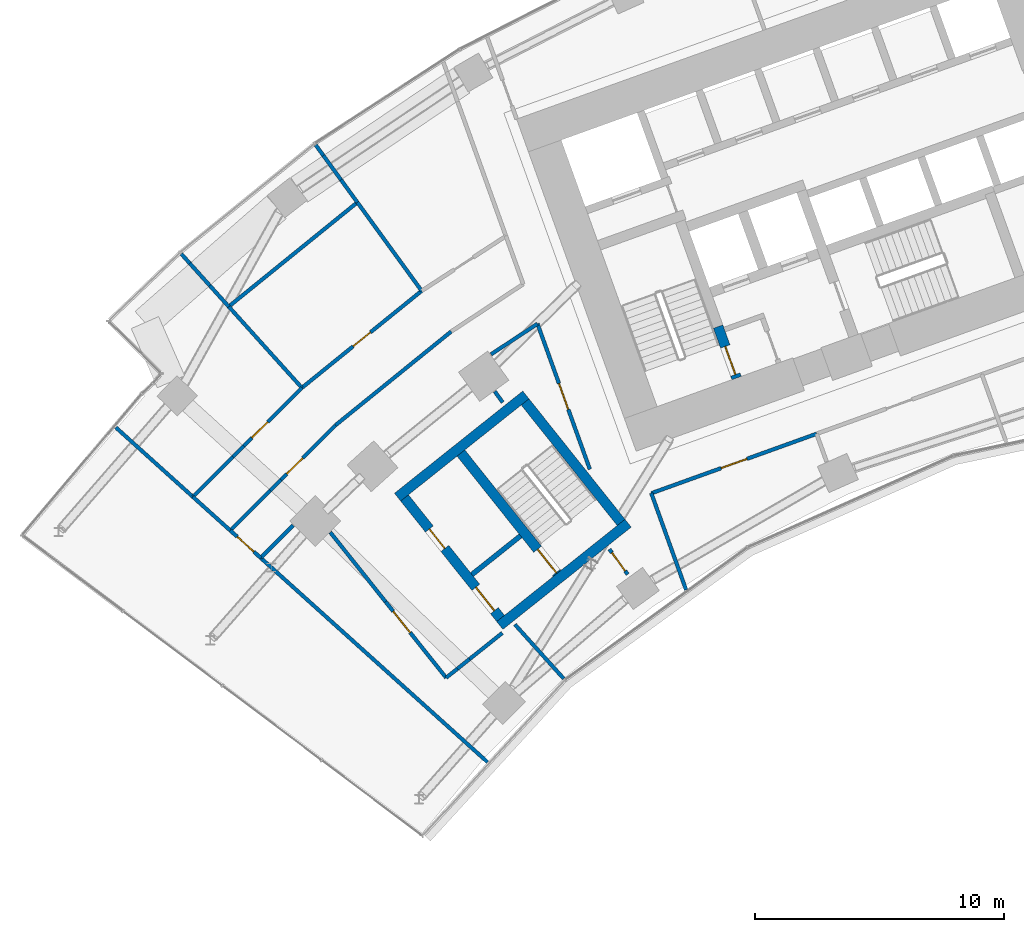
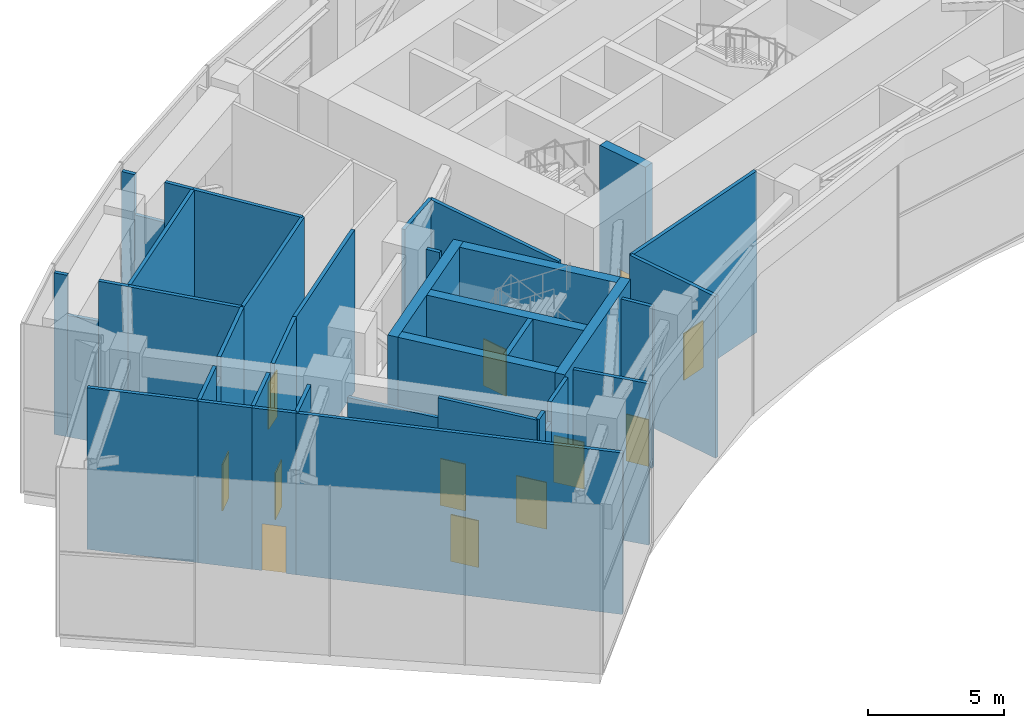
# One storey, part 22 of 30: 41 walls, 12 doors, 12 openings.
"""IFC4 building model written with IfcOpenShell, lengths in metres."""

from ifc_helpers import new_model, si_unit, direction, frame, frame_2d, origin, place, context, subcontext, project, spatial, rectangle, extrude, material, layer, layer_set, type_object, element, fill, save


model = new_model("IFC4")

# Units and contexts
model_context = context("Model", 3, precision=1e-05, world=origin(), true_north=direction((0.0, 1.0)))
body_context = subcontext(model_context, "Body", "Model", "MODEL_VIEW")
ifc_project = project(units=[si_unit("LENGTHUNIT", "METRE"), si_unit("AREAUNIT", "SQUARE_METRE"), si_unit("VOLUMEUNIT", "CUBIC_METRE"), si_unit("PLANEANGLEUNIT", "RADIAN"), si_unit("MASSUNIT", "GRAM", prefix="KILO")], contexts=[model_context])

# Site, building, storey
site_placement = place(None, origin())
site = spatial("IfcSite", under=ifc_project, at=site_placement, CompositionType="ELEMENT")
building_placement = place(site_placement, origin())
building = spatial("IfcBuilding", under=site, at=building_placement, Name="Stone Belt Terrace Tower", CompositionType="ELEMENT")
storey_placement = place(building_placement, frame((0.0, 0.0, 136.39990234375)))
storey = spatial("IfcBuildingStorey", under=building, at=storey_placement, Name="L33", CompositionType="ELEMENT", Elevation=136.39990234375)

# Wall
ifc_material_1 = material(Name="Gypsum board partition")
ifc_layer_1 = layer(ifc_material_1, 0.14990234375)
ifc_layer_set_1 = layer_set([ifc_layer_1], Name="PARTITION 150 EI 60")
wall_type_1 = type_object("IfcWallType", Name="PARTITION 150 EI 60", PredefinedType="PARTITIONING", material=ifc_layer_set_1)
wall_1_placement = place(storey_placement, frame((-25.5859375, 39.79296875, 0.0), z_axis=(0.0, 0.0, 1.0), x_axis=(0.338545933013, -0.940949866486, 0.0)))
element("IfcWall", 1, at=wall_1_placement, inside=storey, type_object=wall_type_1, Name="L33/wall/i001", PredefinedType="PARTITIONING", context=body_context, shape_type="SweptSolid", body=[
    extrude(rectangle(XDim=4.135009765625, YDim=0.14990234375, at=frame_2d((2.0673828125, 0.0))), origin(), (0.0, 0.0, 1.0), 7.25),
])

# Wall, opening, door
wall_2_placement = place(storey_placement, frame((-28.05810546875, 40.75390625, 0.0), z_axis=(0.0, 0.0, 1.0), x_axis=(-0.338523697563, 0.94095786632, 0.0)))
wall_2 = element("IfcWall", 2, at=wall_2_placement, inside=storey, type_object=wall_type_1, Name="L33/wall/i003", PredefinedType="PARTITIONING", context=body_context, shape_type="SweptSolid", body=[
    extrude(rectangle(XDim=6.226806640625, YDim=0.14990234375, at=frame_2d((3.11328125, 0.0))), origin(), (0.0, 0.0, 1.0), 7.25),
])
opening_1_placement = place(wall_2_placement, frame((2.563232421875, 0.0, 0.0)))
opening_1 = element("IfcOpeningElement", 3, at=opening_1_placement, cuts=wall_2, Name="Opening D-T2-12", PredefinedType="OPENING", context=body_context, shape_type="SweptSolid", body=[
    extrude(rectangle(XDim=1.10009765625, YDim=2.10009765625, at=frame_2d((0.550048828125, 1.050048828125))), frame((0.0, 0.0849609375, 0.0), z_axis=(0.0, -1.0, 0.0), x_axis=(1.0, 0.0, 0.0)), (0.0, 0.0, 1.0), 0.169921875),
])
ifc_material_2 = material(Name="Steel fire door set", Category="steel")
door_type_1 = type_object("IfcDoorType", Name="SERVICE ROOM DOOR 1100 X 2100", OperationType="NOTDEFINED", PredefinedType="DOOR", material=ifc_material_2)
door_1_placement = place(opening_1_placement, origin())
door_1 = element("IfcDoor", 4, at=door_1_placement, inside=storey, type_object=door_type_1, Name="L33/door/i12", OperationType="SINGLE_SWING_RIGHT", OverallHeight=2.10009765625, OverallWidth=1.10009765625, PredefinedType="DOOR", context=body_context, shape_type="SweptSolid", body=[
    extrude(rectangle(XDim=1.10009765625, YDim=2.10009765625, at=frame_2d((0.550048828125, 1.050048828125))), frame((0.0, 0.02490234375, 0.0), z_axis=(0.0, -1.0, 0.0), x_axis=(1.0, 0.0, 0.0)), (0.0, 0.0, 1.0), 0.050048828125),
])
fill(opening_1, door_1)

wall_3_placement = place(storey_placement, frame((-26.534912109375, 36.52294921875, 0.0), z_axis=(0.0, 0.0, 1.0), x_axis=(-0.58822969918, 0.80869389821, 0.0)))
wall_3 = element("IfcWall", 5, at=wall_3_placement, inside=storey, type_object=wall_type_1, Name="L33/wall/i004", PredefinedType="PARTITIONING", context=body_context, shape_type="SweptSolid", body=[
    extrude(rectangle(XDim=1.25146484375, YDim=0.14990234375, at=frame_2d((0.625732421875, 0.0))), origin(), (0.0, 0.0, 1.0), 7.25),
])
opening_2_placement = place(wall_3_placement, frame((0.17578125, 0.0, 0.0)))
opening_2 = element("IfcOpeningElement", 6, at=opening_2_placement, cuts=wall_3, Name="Opening D-T2-13", PredefinedType="OPENING", context=body_context, shape_type="SweptSolid", body=[
    extrude(rectangle(XDim=0.89990234375, YDim=2.10009765625, at=frame_2d((0.449951171875, 1.050048828125))), frame((0.0, 0.0849609375, 0.0), z_axis=(0.0, -1.0, 0.0), x_axis=(1.0, 0.0, 0.0)), (0.0, 0.0, 1.0), 0.169921875),
])
door_type_2 = type_object("IfcDoorType", Name="SERVICE ROOM DOOR 900 X 2100", OperationType="NOTDEFINED", PredefinedType="DOOR", material=ifc_material_2)
door_2_placement = place(opening_2_placement, origin())
door_2 = element("IfcDoor", 7, at=door_2_placement, inside=storey, type_object=door_type_2, Name="L33/door/i13", OperationType="SINGLE_SWING_RIGHT", OverallHeight=2.10009765625, OverallWidth=0.89990234375, PredefinedType="DOOR", context=body_context, shape_type="SweptSolid", body=[
    extrude(rectangle(XDim=0.89990234375, YDim=2.10009765625, at=frame_2d((0.449951171875, 1.050048828125))), frame((0.0, 0.02490234375, 0.0), z_axis=(0.0, -1.0, 0.0), x_axis=(1.0, 0.0, 0.0)), (0.0, 0.0, 1.0), 0.050048828125),
])
fill(opening_2, door_2)

wall_4_placement = place(storey_placement, frame((-18.928955078125, 42.181884765625, 0.0), z_axis=(0.0, 0.0, 1.0), x_axis=(-0.940934046642, -0.338589899245, 0.0)))
wall_4 = element("IfcWall", 8, at=wall_4_placement, inside=storey, type_object=wall_type_1, Name="L33/wall/i012", PredefinedType="PARTITIONING", context=body_context, shape_type="SweptSolid", body=[
    extrude(rectangle(XDim=7.07275390625, YDim=0.14990234375, at=frame_2d((3.536376953125, 0.0))), origin(), (0.0, 0.0, 1.0), 7.25),
])
opening_3_placement = place(wall_4_placement, frame((2.986328125, 0.0, 0.0)))
opening_3 = element("IfcOpeningElement", 9, at=opening_3_placement, cuts=wall_4, Name="Opening D-T2-01", PredefinedType="OPENING", context=body_context, shape_type="SweptSolid", body=[
    extrude(rectangle(XDim=1.10009765625, YDim=2.10009765625, at=frame_2d((0.550048828125, 1.050048828125))), frame((0.0, 0.0849609375, 0.0), z_axis=(0.0, -1.0, 0.0), x_axis=(1.0, 0.0, 0.0)), (0.0, 0.0, 1.0), 0.169921875),
])
door_3_placement = place(opening_3_placement, origin())
door_3 = element("IfcDoor", 10, at=door_3_placement, inside=storey, type_object=door_type_1, Name="L33/door/i01", OperationType="SINGLE_SWING_LEFT", OverallHeight=2.10009765625, OverallWidth=1.10009765625, PredefinedType="DOOR", context=body_context, shape_type="SweptSolid", body=[
    extrude(rectangle(XDim=1.10009765625, YDim=2.10009765625, at=frame_2d((0.550048828125, 1.050048828125))), frame((0.0, 0.02490234375, 0.0), z_axis=(0.0, -1.0, 0.0), x_axis=(1.0, 0.0, 0.0)), (0.0, 0.0, 1.0), 0.050048828125),
])
fill(opening_3, door_3)

wall_5_placement = place(storey_placement, frame((-41.2958984375, 37.18310546875, 0.0), z_axis=(0.0, 0.0, 1.0), x_axis=(-0.74296518681, 0.669330061471, 0.0)))
wall_5 = element("IfcWall", 11, at=wall_5_placement, inside=storey, type_object=wall_type_1, Name="L33/wall/i034", PredefinedType="PARTITIONING", context=body_context, shape_type="SweptSolid", body=[
    extrude(rectangle(XDim=1.6611328125, YDim=0.14990234375, at=frame_2d((0.83056640625, 0.0))), origin(), (0.0, 0.0, 1.0), 7.25),
])
opening_4_placement = place(wall_5_placement, frame((0.380615234375, 0.0, 0.0)))
opening_4 = element("IfcOpeningElement", 12, at=opening_4_placement, cuts=wall_5, Name="Opening D-T2-11", PredefinedType="OPENING", context=body_context, shape_type="SweptSolid", body=[
    extrude(rectangle(XDim=0.89990234375, YDim=2.10009765625, at=frame_2d((0.449951171875, 1.050048828125))), frame((0.0, 0.0849609375, 0.0), z_axis=(0.0, -1.0, 0.0), x_axis=(1.0, 0.0, 0.0)), (0.0, 0.0, 1.0), 0.169921875),
])
door_4_placement = place(opening_4_placement, origin())
door_4 = element("IfcDoor", 13, at=door_4_placement, inside=storey, type_object=door_type_2, Name="L33/door/i11", OperationType="SINGLE_SWING_RIGHT", OverallHeight=2.10009765625, OverallWidth=0.89990234375, PredefinedType="DOOR", context=body_context, shape_type="SweptSolid", body=[
    extrude(rectangle(XDim=0.89990234375, YDim=2.10009765625, at=frame_2d((0.449951171875, 1.050048828125))), frame((0.0, 0.02490234375, 0.0), z_axis=(0.0, -1.0, 0.0), x_axis=(1.0, 0.0, 0.0)), (0.0, 0.0, 1.0), 0.050048828125),
])
fill(opening_4, door_4)

# Walls
wall_6_placement = place(storey_placement, frame((-41.303955078125, 37.19091796875, 0.0), z_axis=(0.0, 0.0, 1.0), x_axis=(0.743125134901, -0.669152474312, 0.0)))
element("IfcWall", 14, at=wall_6_placement, inside=storey, type_object=wall_type_1, Name="L33/wall/i035", PredefinedType="PARTITIONING", context=body_context, shape_type="SweptSolid", body=[
    extrude(rectangle(XDim=12.2841796875, YDim=0.14990234375, at=frame_2d((6.14208984375, 0.0))), origin(), (0.0, 0.0, 1.0), 7.25),
])
wall_7_placement = place(storey_placement, frame((-44.033935546875, 39.64794921875, 0.0), z_axis=(0.0, 0.0, 1.0), x_axis=(0.743276242629, -0.668984623997, 0.0)))
element("IfcWall", 15, at=wall_7_placement, inside=storey, type_object=wall_type_1, Name="L33/wall/i036", PredefinedType="PARTITIONING", context=body_context, shape_type="SweptSolid", body=[
    extrude(rectangle(XDim=2.0341796875, YDim=0.14990234375, at=frame_2d((1.01708984375, 0.0))), origin(), (0.0, 0.0, 1.0), 7.25),
])
wall_8_placement = place(storey_placement, frame((-47.133056640625, 42.438720703125, 0.0), z_axis=(0.0, 0.0, 1.0), x_axis=(0.743262212663, -0.66900021168, 0.0)))
element("IfcWall", 16, at=wall_8_placement, inside=storey, type_object=wall_type_1, Name="L33/wall/i037", PredefinedType="PARTITIONING", context=body_context, shape_type="SweptSolid", body=[
    extrude(rectangle(XDim=4.181884765625, YDim=0.14990234375, at=frame_2d((2.0908203125, 0.0))), origin(), (0.0, 0.0, 1.0), 7.25),
])
wall_9_placement = place(storey_placement, frame((-30.1650390625, 46.60595703125, 0.0), z_axis=(0.0, 0.0, 1.0), x_axis=(-0.835442130402, -0.549578426386, 0.0)))
element("IfcWall", 17, at=wall_9_placement, inside=storey, type_object=wall_type_1, Name="L33/wall/i038", PredefinedType="PARTITIONING", context=body_context, shape_type="SweptSolid", body=[
    extrude(rectangle(XDim=2.237548828125, YDim=0.14990234375, at=frame_2d((1.11865234375, 0.0))), origin(), (0.0, 0.0, 1.0), 7.25),
])
wall_10_placement = place(storey_placement, frame((-31.88427734375, 43.88525390625, 0.0), z_axis=(0.0, 0.0, 1.0), x_axis=(0.588064762831, -0.808813844291, 0.0)))
element("IfcWall", 18, at=wall_10_placement, inside=storey, type_object=wall_type_1, Name="L33/wall/i039", PredefinedType="PARTITIONING", context=body_context, shape_type="SweptSolid", body=[
    extrude(rectangle(XDim=0.54296875, YDim=0.14990234375, at=frame_2d((0.271484375, 0.0))), origin(), (0.0, 0.0, 1.0), 7.25),
])
wall_11_placement = place(storey_placement, frame((-39.997314453125, 38.48974609375, 0.0), z_axis=(0.0, 0.0, 1.0), x_axis=(-0.707106781187, -0.707106781187, 0.0)))
element("IfcWall", 19, at=wall_11_placement, inside=storey, type_object=wall_type_1, Name="L33/wall/i040", PredefinedType="PARTITIONING", context=body_context, shape_type="SweptSolid", body=[
    extrude(rectangle(XDim=1.84228515625, YDim=0.14990234375, at=frame_2d((0.921142578125, 0.0))), origin(), (0.0, 0.0, 1.0), 7.25),
])
wall_12_placement = place(storey_placement, frame((-42.52587890625, 38.291015625, 0.0), z_axis=(0.0, 0.0, 1.0), x_axis=(0.707106781187, 0.707106781187, 0.0)))
element("IfcWall", 20, at=wall_12_placement, inside=storey, type_object=wall_type_1, Name="L33/wall/i041-1", PredefinedType="PARTITIONING", context=body_context, shape_type="SweptSolid", body=[
    extrude(rectangle(XDim=2.27734375, YDim=0.14990234375, at=frame_2d((1.138671875, 0.0))), origin(), (0.0, 0.0, 1.0), 7.25),
])
wall_13_placement = place(storey_placement, frame((-40.91552734375, 39.9013671875, 0.0), z_axis=(0.0, 0.0, 1.0), x_axis=(0.707106781187, 0.707106781187, 0.0)))
element("IfcWall", 21, at=wall_13_placement, inside=storey, type_object=wall_type_1, Name="L33/wall/i041-2", PredefinedType="PARTITIONING", context=body_context, shape_type="SweptSolid", body=[
    extrude(rectangle(XDim=0.60791015625, YDim=0.14990234375, at=frame_2d((0.303955078125, 0.0))), origin(), (0.0, 0.0, 1.0), 6.35009765625),
])

# Wall, opening, door
wall_14_placement = place(storey_placement, frame((-40.485595703125, 40.331298828125, 0.0), z_axis=(0.0, 0.0, 1.0), x_axis=(0.707106781187, 0.707106781187, 0.0)))
wall_14 = element("IfcWall", 22, at=wall_14_placement, inside=storey, type_object=wall_type_1, Name="L33/wall/i041-3", PredefinedType="PARTITIONING", context=body_context, shape_type="SweptSolid", body=[
    extrude(rectangle(XDim=3.103515625, YDim=0.14990234375, at=frame_2d((1.5517578125, 0.0))), origin(), (0.0, 0.0, 1.0), 7.25),
])
opening_5_placement = place(wall_14_placement, frame((0.33251953125, 0.0, 0.0)))
opening_5 = element("IfcOpeningElement", 23, at=opening_5_placement, cuts=wall_14, Name="Opening D-T2-15", PredefinedType="OPENING", context=body_context, shape_type="SweptSolid", body=[
    extrude(rectangle(XDim=0.89990234375, YDim=2.10009765625, at=frame_2d((0.449951171875, 1.050048828125))), frame((0.0, 0.0849609375, 0.0), z_axis=(0.0, -1.0, 0.0), x_axis=(1.0, 0.0, 0.0)), (0.0, 0.0, 1.0), 0.169921875),
])
ifc_material_3 = material(Name="Timber door leaf", Category="wood")
door_type_3 = type_object("IfcDoorType", Name="OFFICE DOOR 900 X 2100", OperationType="NOTDEFINED", PredefinedType="DOOR", material=ifc_material_3)
door_5_placement = place(opening_5_placement, origin())
door_5 = element("IfcDoor", 24, at=door_5_placement, inside=storey, type_object=door_type_3, Name="L33/door/i15", OperationType="SINGLE_SWING_RIGHT", OverallHeight=2.10009765625, OverallWidth=0.89990234375, PredefinedType="DOOR", context=body_context, shape_type="SweptSolid", body=[
    extrude(rectangle(XDim=0.89990234375, YDim=2.10009765625, at=frame_2d((0.449951171875, 1.050048828125))), frame((0.0, 0.02490234375, 0.0), z_axis=(0.0, -1.0, 0.0), x_axis=(1.0, 0.0, 0.0)), (0.0, 0.0, 1.0), 0.050048828125),
])
fill(opening_5, door_5)

# Walls
wall_15_placement = place(storey_placement, frame((-38.2900390625, 42.527099609375, 0.0), z_axis=(0.0, 0.0, 1.0), x_axis=(0.77714422733, 0.629322532513, 0.0)))
element("IfcWall", 25, at=wall_15_placement, inside=storey, type_object=wall_type_1, Name="L33/wall/i042", PredefinedType="PARTITIONING", context=body_context, shape_type="SweptSolid", body=[
    extrude(rectangle(XDim=5.98876953125, YDim=0.14990234375, at=frame_2d((2.994384765625, 0.0))), origin(), (0.0, 0.0, 1.0), 7.25),
])
wall_16_placement = place(storey_placement, frame((-31.5810546875, 34.1650390625, 0.0), z_axis=(0.0, 0.0, 1.0), x_axis=(-0.782056237224, -0.623207864054, 0.0)))
element("IfcWall", 26, at=wall_16_placement, inside=storey, type_object=wall_type_1, Name="L33/wall/i044-1", PredefinedType="PARTITIONING", context=body_context, shape_type="SweptSolid", body=[
    extrude(rectangle(XDim=1.682861328125, YDim=0.14990234375, at=frame_2d((0.84130859375, 0.0))), origin(), (0.0, 0.0, 1.0), 7.25),
])
wall_17_placement = place(storey_placement, frame((-32.897216796875, 33.1162109375, 0.0), z_axis=(0.0, 0.0, 1.0), x_axis=(-0.782124999391, -0.623121565449, 0.0)))
element("IfcWall", 27, at=wall_17_placement, inside=storey, type_object=wall_type_1, Name="L33/wall/i044-2", PredefinedType="PARTITIONING", context=body_context, shape_type="SweptSolid", body=[
    extrude(rectangle(XDim=0.625, YDim=0.14990234375, at=frame_2d((0.3125, 0.0))), origin(), (0.0, 0.0, 1.0), 6.35009765625),
])
wall_18_placement = place(storey_placement, frame((-33.385986328125, 32.726806640625, 0.0), z_axis=(0.0, 0.0, 1.0), x_axis=(-0.78209797544, -0.623155483657, 0.0)))
element("IfcWall", 28, at=wall_18_placement, inside=storey, type_object=wall_type_1, Name="L33/wall/i044-3", PredefinedType="PARTITIONING", context=body_context, shape_type="SweptSolid", body=[
    extrude(rectangle(XDim=0.58056640625, YDim=0.14990234375, at=frame_2d((0.290283203125, 0.0))), origin(), (0.0, 0.0, 1.0), 7.25),
])

# Wall, opening, door
wall_19_placement = place(storey_placement, frame((-33.840087890625, 32.364990234375, 0.0), z_axis=(0.0, 0.0, 1.0), x_axis=(-0.623086720064, 0.782152759555, 0.0)))
wall_19 = element("IfcWall", 29, at=wall_19_placement, inside=storey, type_object=wall_type_1, Name="L33/wall/i045-1", PredefinedType="PARTITIONING", context=body_context, shape_type="SweptSolid", body=[
    extrude(rectangle(XDim=3.9091796875, YDim=0.14990234375, at=frame_2d((1.95458984375, 0.0))), origin(), (0.0, 0.0, 1.0), 7.25),
])
opening_6_placement = place(wall_19_placement, frame((2.322265625, 0.0, 0.0)))
opening_6 = element("IfcOpeningElement", 30, at=opening_6_placement, cuts=wall_19, Name="Opening D-T2-14", PredefinedType="OPENING", context=body_context, shape_type="SweptSolid", body=[
    extrude(rectangle(XDim=1.10009765625, YDim=2.10009765625, at=frame_2d((0.550048828125, 1.050048828125))), frame((0.0, 0.0849609375, 0.0), z_axis=(0.0, -1.0, 0.0), x_axis=(1.0, 0.0, 0.0)), (0.0, 0.0, 1.0), 0.169921875),
])
door_6_placement = place(opening_6_placement, origin())
door_6 = element("IfcDoor", 31, at=door_6_placement, inside=storey, type_object=door_type_1, Name="L33/door/i14", OperationType="SINGLE_SWING_LEFT", OverallHeight=2.10009765625, OverallWidth=1.10009765625, PredefinedType="DOOR", context=body_context, shape_type="SweptSolid", body=[
    extrude(rectangle(XDim=1.10009765625, YDim=2.10009765625, at=frame_2d((0.550048828125, 1.050048828125))), frame((0.0, 0.02490234375, 0.0), z_axis=(0.0, -1.0, 0.0), x_axis=(1.0, 0.0, 0.0)), (0.0, 0.0, 1.0), 0.050048828125),
])
fill(opening_6, door_6)

# Walls
wall_20_placement = place(storey_placement, frame((-36.27587890625, 35.422607421875, 0.0), z_axis=(0.0, 0.0, 1.0), x_axis=(-0.623133751548, 0.782115290531, 0.0)))
element("IfcWall", 32, at=wall_20_placement, inside=storey, type_object=wall_type_1, Name="L33/wall/i045-2", PredefinedType="PARTITIONING", context=body_context, shape_type="SweptSolid", body=[
    extrude(rectangle(XDim=3.56884765625, YDim=0.14990234375, at=frame_2d((1.784423828125, 0.0))), origin(), (0.0, 0.0, 1.0), 6.35009765625),
])
wall_21_placement = place(storey_placement, frame((-29.107177734375, 32.32666015625, 0.0), z_axis=(0.0, 0.0, 1.0), x_axis=(-0.669245075227, 0.74304174128, 0.0)))
element("IfcWall", 33, at=wall_21_placement, inside=storey, type_object=wall_type_1, Name="L33/wall/i046", PredefinedType="PARTITIONING", context=body_context, shape_type="SweptSolid", body=[
    extrude(rectangle(XDim=2.9345703125, YDim=0.14990234375, at=frame_2d((1.46728515625, 0.0))), origin(), (0.0, 0.0, 1.0), 7.25),
])
wall_22_placement = place(storey_placement, frame((-44.029052734375, 39.64501953125, 0.0), z_axis=(0.0, 0.0, 1.0), x_axis=(0.707160222352, 0.707053335982, 0.0)))
element("IfcWall", 34, at=wall_22_placement, inside=storey, type_object=wall_type_1, Name="L33/wall/i047-1", PredefinedType="PARTITIONING", context=body_context, shape_type="SweptSolid", body=[
    extrude(rectangle(XDim=2.2841796875, YDim=0.14990234375, at=frame_2d((1.14208984375, 0.0))), origin(), (0.0, 0.0, 1.0), 7.25),
])
wall_23_placement = place(storey_placement, frame((-42.413818359375, 41.260009765625, 0.0), z_axis=(0.0, 0.0, 1.0), x_axis=(0.707106781187, 0.707106781187, 0.0)))
element("IfcWall", 35, at=wall_23_placement, inside=storey, type_object=wall_type_1, Name="L33/wall/i047-2", PredefinedType="PARTITIONING", context=body_context, shape_type="SweptSolid", body=[
    extrude(rectangle(XDim=0.60791015625, YDim=0.14990234375, at=frame_2d((0.303955078125, 0.0))), origin(), (0.0, 0.0, 1.0), 6.35009765625),
])

# Wall, opening, door
wall_24_placement = place(storey_placement, frame((-41.98388671875, 41.68994140625, 0.0), z_axis=(0.0, 0.0, 1.0), x_axis=(0.707069892187, 0.707143668261, 0.0)))
wall_24 = element("IfcWall", 36, at=wall_24_placement, inside=storey, type_object=wall_type_1, Name="L33/wall/i047-3", PredefinedType="PARTITIONING", context=body_context, shape_type="SweptSolid", body=[
    extrude(rectangle(XDim=3.309326171875, YDim=0.14990234375, at=frame_2d((1.65478515625, 0.0))), origin(), (0.0, 0.0, 1.0), 7.25),
])
opening_7_placement = place(wall_24_placement, frame((0.463623046875, 0.0, 0.0)))
opening_7 = element("IfcOpeningElement", 37, at=opening_7_placement, cuts=wall_24, Name="Opening D-T2-16", PredefinedType="OPENING", context=body_context, shape_type="SweptSolid", body=[
    extrude(rectangle(XDim=0.89990234375, YDim=2.10009765625, at=frame_2d((0.449951171875, 1.050048828125))), frame((0.0, 0.0849609375, 0.0), z_axis=(0.0, -1.0, 0.0), x_axis=(1.0, 0.0, 0.0)), (0.0, 0.0, 1.0), 0.169921875),
])
door_7_placement = place(opening_7_placement, origin())
door_7 = element("IfcDoor", 38, at=door_7_placement, inside=storey, type_object=door_type_3, Name="L33/door/i16", OperationType="SINGLE_SWING_RIGHT", OverallHeight=2.10009765625, OverallWidth=0.89990234375, PredefinedType="DOOR", context=body_context, shape_type="SweptSolid", body=[
    extrude(rectangle(XDim=0.89990234375, YDim=2.10009765625, at=frame_2d((0.449951171875, 1.050048828125))), frame((0.0, 0.02490234375, 0.0), z_axis=(0.0, -1.0, 0.0), x_axis=(1.0, 0.0, 0.0)), (0.0, 0.0, 1.0), 0.050048828125),
])
fill(opening_7, door_7)

wall_25_placement = place(storey_placement, frame((-39.64404296875, 44.030029296875, 0.0), z_axis=(0.0, 0.0, 1.0), x_axis=(0.777190769916, 0.629265053184, 0.0)))
wall_25 = element("IfcWall", 39, at=wall_25_placement, inside=storey, type_object=wall_type_1, Name="L33/wall/i048", PredefinedType="PARTITIONING", context=body_context, shape_type="SweptSolid", body=[
    extrude(rectangle(XDim=6.20068359375, YDim=0.14990234375, at=frame_2d((3.100341796875, 0.0))), origin(), (0.0, 0.0, 1.0), 7.25),
])
opening_8_placement = place(wall_25_placement, frame((2.650390625, 0.0, 0.0)))
opening_8 = element("IfcOpeningElement", 40, at=opening_8_placement, cuts=wall_25, Name="Opening D-T2-17", PredefinedType="OPENING", context=body_context, shape_type="SweptSolid", body=[
    extrude(rectangle(XDim=0.89990234375, YDim=2.10009765625, at=frame_2d((0.449951171875, 1.050048828125))), frame((0.0, 0.0849609375, 0.0), z_axis=(0.0, -1.0, 0.0), x_axis=(1.0, 0.0, 0.0)), (0.0, 0.0, 1.0), 0.169921875),
])
door_8_placement = place(opening_8_placement, origin())
door_8 = element("IfcDoor", 41, at=door_8_placement, inside=storey, type_object=door_type_3, Name="L33/door/i17", OperationType="SINGLE_SWING_RIGHT", OverallHeight=2.10009765625, OverallWidth=0.89990234375, PredefinedType="DOOR", context=body_context, shape_type="SweptSolid", body=[
    extrude(rectangle(XDim=0.89990234375, YDim=2.10009765625, at=frame_2d((0.449951171875, 1.050048828125))), frame((0.0, 0.02490234375, 0.0), z_axis=(0.0, -1.0, 0.0), x_axis=(1.0, 0.0, 0.0)), (0.0, 0.0, 1.0), 0.050048828125),
])
fill(opening_8, door_8)

# Walls
wall_26_placement = place(storey_placement, frame((-42.592041015625, 47.302978515625, 0.0), z_axis=(0.0, 0.0, 1.0), x_axis=(0.669258646934, -0.74302951725, 0.0)))
element("IfcWall", 42, at=wall_26_placement, inside=storey, type_object=wall_type_1, Name="L33/wall/i050", PredefinedType="PARTITIONING", context=body_context, shape_type="SweptSolid", body=[
    extrude(rectangle(XDim=4.40478515625, YDim=0.14990234375, at=frame_2d((2.202392578125, 0.0))), origin(), (0.0, 0.0, 1.0), 7.25),
])
wall_27_placement = place(storey_placement, frame((-44.496826171875, 49.41943359375, 0.0), z_axis=(0.0, 0.0, 1.0), x_axis=(0.668912346569, -0.743341289454, 0.0)))
element("IfcWall", 43, at=wall_27_placement, inside=storey, type_object=wall_type_1, Name="L33/wall/i051-1", PredefinedType="PARTITIONING", context=body_context, shape_type="SweptSolid", body=[
    extrude(rectangle(XDim=0.514892578125, YDim=0.14990234375, at=frame_2d((0.25732421875, 0.0))), origin(), (0.0, 0.0, 1.0), 7.25),
])
wall_28_placement = place(storey_placement, frame((-44.15234375, 49.03662109375, 0.0), z_axis=(0.0, 0.0, 1.0), x_axis=(0.668964731622, -0.743294146247, 0.0)))
element("IfcWall", 44, at=wall_28_placement, inside=storey, type_object=wall_type_1, Name="L33/wall/i051-2", PredefinedType="PARTITIONING", context=body_context, shape_type="SweptSolid", body=[
    extrude(rectangle(XDim=1.2021484375, YDim=0.14990234375, at=frame_2d((0.60107421875, 0.0))), origin(), (0.0, 0.0, 1.0), 5.4501953125),
])
wall_29_placement = place(storey_placement, frame((-43.34814453125, 48.14306640625, 0.0), z_axis=(0.0, 0.0, 1.0), x_axis=(0.668941115903, -0.743315399716, 0.0)))
element("IfcWall", 45, at=wall_29_placement, inside=storey, type_object=wall_type_1, Name="L33/wall/i051-3", PredefinedType="PARTITIONING", context=body_context, shape_type="SweptSolid", body=[
    extrude(rectangle(XDim=1.142333984375, YDim=0.14990234375, at=frame_2d((0.5712890625, 0.0))), origin(), (0.0, 0.0, 1.0), 7.25),
])
wall_30_placement = place(storey_placement, frame((-42.587890625, 47.299072265625, 0.0), z_axis=(0.0, 0.0, 1.0), x_axis=(0.777100621569, 0.629376377025, 0.0)))
element("IfcWall", 46, at=wall_30_placement, inside=storey, type_object=wall_type_1, Name="L33/wall/i052", PredefinedType="PARTITIONING", context=body_context, shape_type="SweptSolid", body=[
    extrude(rectangle(XDim=6.661865234375, YDim=0.14990234375, at=frame_2d((3.3310546875, 0.0))), origin(), (0.0, 0.0, 1.0), 7.25),
])
wall_31_placement = place(storey_placement, frame((-37.410888671875, 51.491943359375, 0.0), z_axis=(0.0, 0.0, 1.0), x_axis=(0.587696525109, -0.809081451014, 0.0)))
element("IfcWall", 47, at=wall_31_placement, inside=storey, type_object=wall_type_1, Name="L33/wall/i053", PredefinedType="PARTITIONING", context=body_context, shape_type="SweptSolid", body=[
    extrude(rectangle(XDim=4.400146484375, YDim=0.14990234375, at=frame_2d((2.2001953125, 0.0))), origin(), (0.0, 0.0, 1.0), 7.25),
])
wall_32_placement = place(storey_placement, frame((-39.087890625, 53.7998046875, 0.0), z_axis=(0.0, 0.0, 1.0), x_axis=(0.588116101587, -0.8087765149, 0.0)))
element("IfcWall", 48, at=wall_32_placement, inside=storey, type_object=wall_type_1, Name="L33/wall/i054-1", PredefinedType="PARTITIONING", context=body_context, shape_type="SweptSolid", body=[
    extrude(rectangle(XDim=0.522216796875, YDim=0.14990234375, at=frame_2d((0.26123046875, 0.0))), origin(), (0.0, 0.0, 1.0), 7.25),
])
wall_33_placement = place(storey_placement, frame((-38.78076171875, 53.37744140625, 0.0), z_axis=(0.0, 0.0, 1.0), x_axis=(0.587786512879, -0.809016078504, 0.0)))
element("IfcWall", 49, at=wall_33_placement, inside=storey, type_object=wall_type_1, Name="L33/wall/i054-2", PredefinedType="PARTITIONING", context=body_context, shape_type="SweptSolid", body=[
    extrude(rectangle(XDim=1.206298828125, YDim=0.14990234375, at=frame_2d((0.60302734375, 0.0))), origin(), (0.0, 0.0, 1.0), 5.4501953125),
])
wall_34_placement = place(storey_placement, frame((-38.07177734375, 52.401611328125, 0.0), z_axis=(0.0, 0.0, 1.0), x_axis=(0.587771401913, -0.809027057084, 0.0)))
element("IfcWall", 50, at=wall_34_placement, inside=storey, type_object=wall_type_1, Name="L33/wall/i054-3", PredefinedType="PARTITIONING", context=body_context, shape_type="SweptSolid", body=[
    extrude(rectangle(XDim=1.12451171875, YDim=0.14990234375, at=frame_2d((0.562255859375, 0.0))), origin(), (0.0, 0.0, 1.0), 7.25),
])
ifc_material_4 = material(Name="Concrete masonry block", Category="masonry")
ifc_layer_2 = layer(ifc_material_4, 0.199951171875)
ifc_layer_set_2 = layer_set([ifc_layer_2], Name="Rated lobby wall 200")
wall_type_2 = type_object("IfcWallType", Name="Rated lobby wall 200", PredefinedType="PARTITIONING", material=ifc_layer_set_2)
wall_35_placement = place(storey_placement, frame((-30.845703125, 38.074951171875, 0.0), z_axis=(0.0, 0.0, 1.0), x_axis=(-0.782115323833, -0.623133709749, 0.0)))
element("IfcWall", 51, at=wall_35_placement, inside=storey, type_object=wall_type_2, Name="Exit stair ST3A wall", PredefinedType="PARTITIONING", context=body_context, shape_type="SweptSolid", body=[
    extrude(rectangle(XDim=2.5, YDim=0.199951171875, at=frame_2d((1.25, 0.0))), origin(), (0.0, 0.0, 1.0), 7.25),
])

# Wall, opening, door
ifc_material_5 = material(Name="Concrete B80", Category="concrete")
ifc_layer_3 = layer(ifc_material_5, 0.39990234375)
ifc_layer_set_3 = layer_set([ifc_layer_3], Name="Stair enclosure wall 400")
wall_type_3 = type_object("IfcWallType", Name="Stair enclosure wall 400", PredefinedType="SHEAR", material=ifc_layer_set_3)
wall_36_placement = place(storey_placement, frame((-22.151611328125, 44.42333984375, 0.0), z_axis=(0.0, 0.0, 1.0), x_axis=(-0.338577997708, 0.940938329259, 0.0)))
wall_36 = element("IfcWall", 52, at=wall_36_placement, inside=storey, type_object=wall_type_3, Name="Core A wall", PredefinedType="SHEAR", context=body_context, shape_type="SweptSolid", body=[
    extrude(rectangle(XDim=2.199951171875, YDim=0.39990234375, at=frame_2d((1.10009765625, 0.0))), origin(), (0.0, 0.0, 1.0), 7.25),
])
opening_9_placement = place(wall_36_placement, frame((0.14990234375, 0.0, 0.0)))
opening_9 = element("IfcOpeningElement", 53, at=opening_9_placement, cuts=wall_36, Name="Opening L33-C03", PredefinedType="OPENING", context=body_context, shape_type="SweptSolid", body=[
    extrude(rectangle(XDim=1.199951171875, YDim=2.10009765625, at=frame_2d((0.60009765625, 1.050048828125))), frame((0.0, 0.2099609375, 0.0), z_axis=(0.0, -1.0, 0.0), x_axis=(1.0, 0.0, 0.0)), (0.0, 0.0, 1.0), 0.419921875),
])
ifc_material_6 = material(Name="Steel door leaf", Category="steel")
door_type_4 = type_object("IfcDoorType", Name="Stair door 1200", OperationType="SINGLE_SWING_LEFT", PredefinedType="DOOR", material=ifc_material_6)
door_9_placement = place(opening_9_placement, origin())
door_9 = element("IfcDoor", 54, at=door_9_placement, inside=storey, type_object=door_type_4, Name="Stair 1 door core A", OperationType="SINGLE_SWING_LEFT", OverallHeight=2.10009765625, OverallWidth=1.199951171875, PredefinedType="DOOR", context=body_context, shape_type="SweptSolid", body=[
    extrude(rectangle(XDim=1.199951171875, YDim=2.10009765625, at=frame_2d((0.60009765625, 1.050048828125))), frame((0.0, 0.02490234375, 0.0), z_axis=(0.0, -1.0, 0.0), x_axis=(1.0, 0.0, 0.0)), (0.0, 0.0, 1.0), 0.050048828125),
])
fill(opening_9, door_9)

# Walls
for number, where, z_axis, x_axis, name in (
    (55, (-26.518798828125, 38.58154296875, 0.0), (0.0, 0.0, 1.0), (-0.782133914161, -0.623110375711, 0.0), "Exit stair ST3A wall"),
    (56, (-30.63134765625, 43.74365234375, 0.0), (0.0, 0.0, 1.0), (-0.782133914161, -0.623110375711, 0.0), "Exit stair ST3A wall"),
):
    element("IfcWall", number, at=place(storey_placement, frame(where, z_axis=z_axis, x_axis=x_axis)), inside=storey, type_object=wall_type_3, Name=name, PredefinedType="SHEAR", context=body_context, shape_type="SweptSolid", body=[
        extrude(rectangle(XDim=6.60009765625, YDim=0.39990234375, at=frame_2d((3.300048828125, 0.0))), origin(), (0.0, 0.0, 1.0), 7.25),
    ])
wall_37_placement = place(storey_placement, frame((-26.7998046875, 38.61328125, 0.0), z_axis=(0.0, 0.0, 1.0), x_axis=(-0.623118653668, 0.782127319208, 0.0)))
element("IfcWall", 57, at=wall_37_placement, inside=storey, type_object=wall_type_3, Name="Exit stair ST3A wall", PredefinedType="SHEAR", context=body_context, shape_type="SweptSolid", body=[
    extrude(rectangle(XDim=6.199951171875, YDim=0.39990234375, at=frame_2d((3.10009765625, 0.0))), origin(), (0.0, 0.0, 1.0), 7.25),
])

# Wall, openings, doors
wall_38_placement = place(storey_placement, frame((-31.64892578125, 34.75, 0.0), z_axis=(0.0, 0.0, 1.0), x_axis=(-0.623118653668, 0.782127319208, 0.0)))
wall_38 = element("IfcWall", 58, at=wall_38_placement, inside=storey, type_object=wall_type_3, Name="Exit stair ST3A wall", PredefinedType="SHEAR", context=body_context, shape_type="SweptSolid", body=[
    extrude(rectangle(XDim=6.199951171875, YDim=0.39990234375, at=frame_2d((3.10009765625, 0.0))), origin(), (0.0, 0.0, 1.0), 7.25),
])
opening_10_placement = place(wall_38_placement, frame((0.39990234375, 0.0, 0.0)))
opening_10 = element("IfcOpeningElement", 59, at=opening_10_placement, cuts=wall_38, Name="Opening L33-C18", PredefinedType="OPENING", context=body_context, shape_type="SweptSolid", body=[
    extrude(rectangle(XDim=1.199951171875, YDim=2.10009765625, at=frame_2d((0.60009765625, 1.050048828125))), frame((0.0, 0.2099609375, 0.0), z_axis=(0.0, -1.0, 0.0), x_axis=(1.0, 0.0, 0.0)), (0.0, 0.0, 1.0), 0.419921875),
])
opening_11_placement = place(wall_38_placement, frame((3.60009765625, 0.0, 0.0)))
opening_11 = element("IfcOpeningElement", 60, at=opening_11_placement, cuts=wall_38, Name="Opening L33-C19", PredefinedType="OPENING", context=body_context, shape_type="SweptSolid", body=[
    extrude(rectangle(XDim=1.0, YDim=2.10009765625, at=frame_2d((0.5, 1.050048828125))), frame((0.0, 0.2099609375, 0.0), z_axis=(0.0, -1.0, 0.0), x_axis=(1.0, 0.0, 0.0)), (0.0, 0.0, 1.0), 0.419921875),
])
door_type_5 = type_object("IfcDoorType", Name="Core room door 1000", OperationType="SINGLE_SWING_LEFT", PredefinedType="DOOR", material=ifc_material_3)
door_10_placement = place(opening_11_placement, origin())
door_10 = element("IfcDoor", 61, at=door_10_placement, inside=storey, type_object=door_type_5, Name="Door to stair pressurisation plant room ST3A", OperationType="SINGLE_SWING_RIGHT", OverallHeight=2.10009765625, OverallWidth=1.0, PredefinedType="DOOR", context=body_context, shape_type="SweptSolid", body=[
    extrude(rectangle(XDim=1.0, YDim=2.10009765625, at=frame_2d((0.5, 1.050048828125))), frame((0.0, 0.02490234375, 0.0), z_axis=(0.0, -1.0, 0.0), x_axis=(1.0, 0.0, 0.0)), (0.0, 0.0, 1.0), 0.050048828125),
])
fill(opening_11, door_10)
door_type_6 = type_object("IfcDoorType", Name="Stair airlock door 1200", OperationType="SINGLE_SWING_LEFT", PredefinedType="DOOR", material=ifc_material_6)
door_11_placement = place(opening_10_placement, origin())
door_11 = element("IfcDoor", 62, at=door_11_placement, inside=storey, type_object=door_type_6, Name="Stair airlock door ST3A", OperationType="SINGLE_SWING_RIGHT", OverallHeight=2.10009765625, OverallWidth=1.199951171875, PredefinedType="DOOR", context=body_context, shape_type="SweptSolid", body=[
    extrude(rectangle(XDim=1.199951171875, YDim=2.10009765625, at=frame_2d((0.60009765625, 1.050048828125))), frame((0.0, 0.02490234375, 0.0), z_axis=(0.0, -1.0, 0.0), x_axis=(1.0, 0.0, 0.0)), (0.0, 0.0, 1.0), 0.050048828125),
])
fill(opening_10, door_11)

# Wall, opening, door
wall_39_placement = place(storey_placement, frame((-29.380859375, 36.556884765625, 0.0), z_axis=(0.0, 0.0, 1.0), x_axis=(-0.623099462847, 0.782142608097, 0.0)))
wall_39 = element("IfcWall", 63, at=wall_39_placement, inside=storey, type_object=wall_type_3, Name="Exit stair ST3A wall", PredefinedType="SHEAR", context=body_context, shape_type="SweptSolid", body=[
    extrude(rectangle(XDim=6.2001953125, YDim=0.39990234375, at=frame_2d((3.10009765625, 0.0))), origin(), (0.0, 0.0, 1.0), 7.25),
])
opening_12_placement = place(wall_39_placement, frame((0.050048828125, 0.0, 0.0)))
opening_12 = element("IfcOpeningElement", 64, at=opening_12_placement, cuts=wall_39, Name="Opening L33-C17", PredefinedType="OPENING", context=body_context, shape_type="SweptSolid", body=[
    extrude(rectangle(XDim=1.199951171875, YDim=2.10009765625, at=frame_2d((0.60009765625, 1.050048828125))), frame((0.0, 0.2099609375, 0.0), z_axis=(0.0, -1.0, 0.0), x_axis=(1.0, 0.0, 0.0)), (0.0, 0.0, 1.0), 0.419921875),
])
door_12_placement = place(opening_12_placement, origin())
door_12 = element("IfcDoor", 65, at=door_12_placement, inside=storey, type_object=door_type_4, Name="Stair door ST3A", OperationType="SINGLE_SWING_LEFT", OverallHeight=2.10009765625, OverallWidth=1.199951171875, PredefinedType="DOOR", context=body_context, shape_type="SweptSolid", body=[
    extrude(rectangle(XDim=1.199951171875, YDim=2.10009765625, at=frame_2d((0.60009765625, 1.050048828125))), frame((0.0, 0.02490234375, 0.0), z_axis=(0.0, -1.0, 0.0), x_axis=(1.0, 0.0, 0.0)), (0.0, 0.0, 1.0), 0.050048828125),
])
fill(opening_12, door_12)

save(model, "model.ifc")
